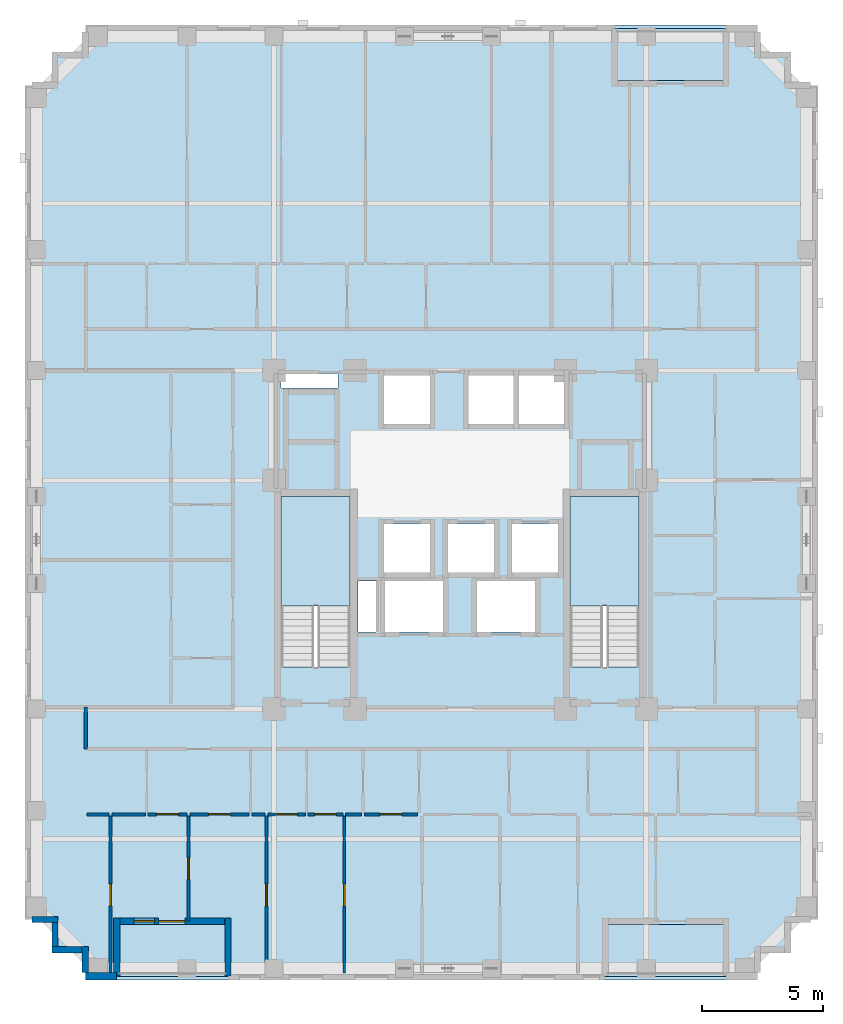
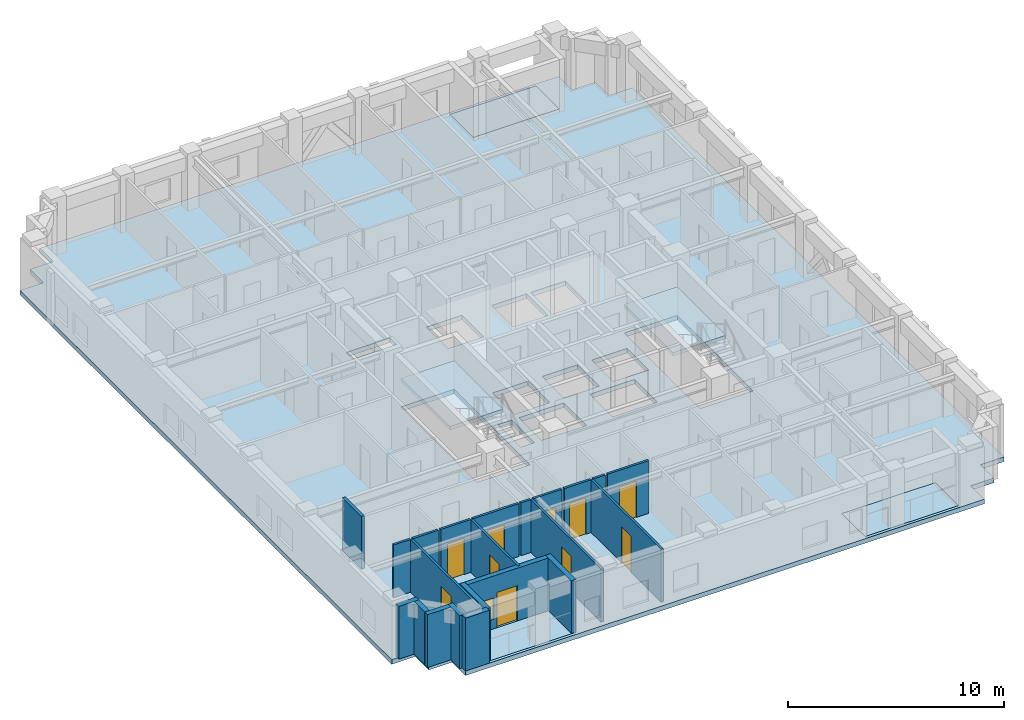
# One storey, part 2 of 12: 22 walls, 10 doors, 6 slabs, 1 window, 11 openings, 2 elements without a shape of their own.
"""IFC4 building model written with IfcOpenShell, lengths in metres."""

from ifc_helpers import new_model, si_unit, derived_unit, direction, frame, frame_2d, origin, place, context, subcontext, project, spatial, polyline, rectangle, outline, extrude, material, layer, layer_set, type_object, element, fill, aggregate, save


model = new_model("IFC4")

# Units and contexts
model_context = context("Model", 3, precision=1e-05, world=origin(), true_north=direction((0.0, 1.0)))
body_context = subcontext(model_context, "Body", "Model", "MODEL_VIEW")
ifc_project = project(units=[si_unit("LENGTHUNIT", "METRE"), si_unit("AREAUNIT", "SQUARE_METRE"), si_unit("VOLUMEUNIT", "CUBIC_METRE"), si_unit("PLANEANGLEUNIT", "RADIAN"), si_unit("MASSUNIT", "GRAM", prefix="KILO"), derived_unit("THERMALTRANSMITTANCEUNIT", [(si_unit("MASSUNIT", "GRAM", prefix="KILO"), 1), (si_unit("TIMEUNIT", "SECOND"), -3), (si_unit("THERMODYNAMICTEMPERATUREUNIT", "KELVIN"), -1)])], contexts=[model_context])

# Site, building, storey
site_placement = place(None, origin())
site = spatial("IfcSite", under=ifc_project, at=site_placement, CompositionType="ELEMENT")
building_placement = place(site_placement, origin())
building = spatial("IfcBuilding", under=site, at=building_placement, Name="Korrvale Station Residences", CompositionType="ELEMENT")
storey_placement = place(building_placement, frame((0.0, 0.0, 127.64990234375)))
storey = spatial("IfcBuildingStorey", under=building, at=storey_placement, Name="L36", CompositionType="ELEMENT", Elevation=127.64990234375)

# Slabs
ifc_material_1 = material(Name="Concrete C50/60", Category="concrete")
ifc_layer_1 = layer(ifc_material_1, 0.219970703125, Name="Concrete C50/60")
ifc_layer_set_1 = layer_set([ifc_layer_1], Name="Concrete C50/60")
slab_type_1 = type_object("IfcSlabType", Name="SLB-BAL-220", PredefinedType="FLOOR", material=ifc_layer_set_1)
slab_1_placement = place(storey_placement, frame((0.0, 0.0, -0.219970703125)))
element("IfcSlab", 1, at=slab_1_placement, inside=storey, type_object=slab_type_1, Name="L36 Recessed Loggia Balcony Slab BAL-L36-S1", PredefinedType="FLOOR", context=body_context, shape_type="SweptSolid", body=[
    extrude(outline(polyline([(11.300048828125, 3.949951171875), (15.89990234375, 3.949951171875), (15.89990234375, 6.10009765625), (11.300048828125, 6.10009765625), (11.300048828125, 3.949951171875)])), origin(), (0.0, 0.0, 1.0), 0.219970703125),
])
slab_2_placement = place(storey_placement, frame((0.0, 0.0, -0.219970703125)))
element("IfcSlab", 2, at=slab_2_placement, inside=storey, type_object=slab_type_1, Name="L36 Recessed Loggia Balcony Slab BAL-L36-N1", PredefinedType="FLOOR", context=body_context, shape_type="SweptSolid", body=[
    extrude(outline(polyline([(31.89990234375, 41.0), (36.5, 41.0), (36.5, 43.14990234375), (31.89990234375, 43.14990234375), (31.89990234375, 41.0)])), origin(), (0.0, 0.0, 1.0), 0.219970703125),
])
slab_3_placement = place(storey_placement, frame((0.0, 0.0, -0.219970703125)))
element("IfcSlab", 3, at=slab_3_placement, inside=storey, type_object=slab_type_1, Name="L36 Recessed Loggia Balcony Slab BAL-L36-S2", PredefinedType="FLOOR", context=body_context, shape_type="SweptSolid", body=[
    extrude(outline(polyline([(31.5, 3.949951171875), (36.5, 3.949951171875), (36.5, 6.10009765625), (31.5, 6.10009765625), (31.5, 3.949951171875)])), origin(), (0.0, 0.0, 1.0), 0.219970703125),
])
ifc_layer_2 = layer(ifc_material_1, 0.260009765625, Name="Concrete C50/60")
ifc_layer_set_2 = layer_set([ifc_layer_2], Name="Concrete C50/60")
slab_type_2 = type_object("IfcSlabType", Name="SLB-FLR-260", PredefinedType="FLOOR", material=ifc_layer_set_2)
slab_4_placement = place(storey_placement, frame((0.0, 0.0, -0.260009765625)))
element("IfcSlab", 4, at=slab_4_placement, inside=storey, type_object=slab_type_2, Name="L36 Suspended Structural Floor Slab", PredefinedType="FLOOR", context=body_context, shape_type="SweptSolid", body=[
    extrude(outline(polyline([(10.0, 3.800048828125), (37.800048828125, 3.800048828125), (37.800048828125, 5.050048828125), (39.050048828125, 5.050048828125), (39.050048828125, 6.300048828125), (40.300048828125, 6.300048828125), (40.300048828125, 40.800048828125), (39.050048828125, 40.800048828125), (39.050048828125, 42.050048828125), (37.800048828125, 42.050048828125), (37.800048828125, 43.300048828125), (10.0, 43.300048828125), (10.0, 42.050048828125), (8.75, 42.050048828125), (8.75, 40.800048828125), (7.5, 40.800048828125), (7.5, 6.300048828125), (8.75, 6.300048828125), (8.75, 5.050048828125), (10.0, 5.050048828125), (10.0, 3.800048828125)]), holes=[polyline([(20.949951171875, 16.751953125), (20.949951171875, 23.800048828125), (18.10009765625, 23.800048828125), (18.10009765625, 16.751953125), (20.949951171875, 16.751953125)]), polyline([(32.89990234375, 16.751953125), (32.89990234375, 23.800048828125), (30.050048828125, 23.800048828125), (30.050048828125, 16.751953125), (32.89990234375, 16.751953125)]), polyline([(22.35009765625, 26.800048828125), (24.25, 26.800048828125), (24.25, 28.800048828125), (22.35009765625, 28.800048828125), (22.35009765625, 26.800048828125)]), polyline([(25.85009765625, 26.800048828125), (27.7099609375, 26.800048828125), (27.7099609375, 28.800048828125), (25.85009765625, 28.800048828125), (25.85009765625, 26.800048828125)]), polyline([(27.929931640625, 26.800048828125), (29.7900390625, 26.800048828125), (29.7900390625, 28.800048828125), (27.929931640625, 28.800048828125), (27.929931640625, 26.800048828125)]), polyline([(22.35009765625, 20.64990234375), (24.25, 20.64990234375), (24.25, 22.64990234375), (22.35009765625, 22.64990234375), (22.35009765625, 20.64990234375)]), polyline([(25.0, 20.64990234375), (26.89990234375, 20.64990234375), (26.89990234375, 22.64990234375), (25.0, 22.64990234375), (25.0, 20.64990234375)]), polyline([(27.64990234375, 20.64990234375), (29.550048828125, 20.64990234375), (29.550048828125, 22.64990234375), (27.64990234375, 22.64990234375), (27.64990234375, 20.64990234375)]), polyline([(22.39990234375, 18.199951171875), (24.800048828125, 18.199951171875), (24.800048828125, 20.300048828125), (22.39990234375, 20.300048828125), (22.39990234375, 18.199951171875)]), polyline([(26.199951171875, 18.199951171875), (28.60009765625, 18.199951171875), (28.60009765625, 20.300048828125), (26.199951171875, 20.300048828125), (26.199951171875, 18.199951171875)]), polyline([(18.10009765625, 28.280029296875), (20.449951171875, 28.280029296875), (20.449951171875, 28.8798828125), (18.10009765625, 28.8798828125), (18.10009765625, 28.280029296875)]), polyline([(21.280029296875, 18.199951171875), (22.02001953125, 18.199951171875), (22.02001953125, 20.300048828125), (21.280029296875, 20.300048828125), (21.280029296875, 18.199951171875)]), polyline([(11.300048828125, 3.949951171875), (15.89990234375, 3.949951171875), (15.89990234375, 6.10009765625), (11.300048828125, 6.10009765625), (11.300048828125, 3.949951171875)]), polyline([(31.89990234375, 41.0), (36.5, 41.0), (36.5, 43.14990234375), (31.89990234375, 43.14990234375), (31.89990234375, 41.0)]), polyline([(31.5, 3.949951171875), (36.5, 3.949951171875), (36.5, 6.10009765625), (31.5, 6.10009765625), (31.5, 3.949951171875)])]), origin(), (0.0, 0.0, 1.0), 0.260009765625),
])

# Stair, slab
stair_type = type_object("IfcStairType", Name="STR-DL-1350-20R-1625", PredefinedType="HALF_TURN_STAIR", material=ifc_material_1)
stair_1_placement = place(storey_placement, origin())
stair_1 = element("IfcStair", 5, at=stair_1_placement, inside=storey, type_object=stair_type, Name="L36 Exit Stair 1", PredefinedType="HALF_TURN_STAIR")
ifc_layer_3 = layer(ifc_material_1, 0.199951171875, Name="Concrete C50/60")
ifc_layer_set_3 = layer_set([ifc_layer_3], Name="Concrete C50/60")
slab_type_3 = type_object("IfcSlabType", Name="SLB-LND-200", PredefinedType="LANDING", material=ifc_layer_set_3)
slab_5_placement = place(storey_placement, frame((0.0, 0.0, 1.425048828125)))
slab_5 = element("IfcSlab", 6, at=slab_5_placement, type_object=slab_type_3, Name="ST-1 landing 1", PredefinedType="LANDING", context=body_context, shape_type="SweptSolid", body=[
    extrude(outline(polyline([(20.949951171875, 19.27001953125), (20.949951171875, 23.800048828125), (18.10009765625, 23.800048828125), (18.10009765625, 19.27001953125), (20.949951171875, 19.27001953125)])), origin(), (0.0, 0.0, 1.0), 0.199951171875),
])
aggregate(stair_1, [slab_5])

stair_2_placement = place(storey_placement, origin())
stair_2 = element("IfcStair", 7, at=stair_2_placement, inside=storey, type_object=stair_type, Name="L36 Exit Stair 2", PredefinedType="HALF_TURN_STAIR")
slab_6_placement = place(storey_placement, frame((0.0, 0.0, 1.425048828125)))
slab_6 = element("IfcSlab", 8, at=slab_6_placement, type_object=slab_type_3, Name="ST-2 landing 1", PredefinedType="LANDING", context=body_context, shape_type="SweptSolid", body=[
    extrude(outline(polyline([(32.89990234375, 19.27001953125), (32.89990234375, 23.800048828125), (30.050048828125, 23.800048828125), (30.050048828125, 19.27001953125), (32.89990234375, 19.27001953125)])), origin(), (0.0, 0.0, 1.0), 0.199951171875),
])
aggregate(stair_2, [slab_6])

# Wall
ifc_material_2 = material(Name="Precast concrete C45/55", Category="concrete")
ifc_layer_4 = layer(ifc_material_2, 0.260009765625, Name="Precast concrete C45/55")
ifc_layer_set_4 = layer_set([ifc_layer_4], Name="Precast concrete C45/55")
wall_type_1 = type_object("IfcWallType", Name="WAL-EXT-LOG260", PredefinedType="SOLIDWALL", material=ifc_layer_set_4)
wall_1_placement = place(storey_placement, frame((15.89990234375, 3.9599609375, 0.0), z_axis=(0.0, 0.0, 1.0), x_axis=(0.0, 1.0, 0.0)))
element("IfcWall", 9, at=wall_1_placement, inside=storey, type_object=wall_type_1, Name="L36 Recessed Loggia Wall BAL-L36-S1-L", PredefinedType="SOLIDWALL", context=body_context, shape_type="SweptSolid", body=[
    extrude(rectangle(XDim=2.400146484375, YDim=0.260009765625, at=frame_2d((1.2001953125, 0.0))), origin(), (0.0, 0.0, 1.0), 2.989990234375),
])

# Wall, openings, door, window
wall_2_placement = place(storey_placement, frame((15.76611328125, 6.22998046875, 0.0), z_axis=(0.0, 0.0, 1.0), x_axis=(-1.0, 0.0, 0.0)))
wall_2 = element("IfcWall", 10, at=wall_2_placement, inside=storey, type_object=wall_type_1, Name="L36 Recessed Loggia Wall BAL-L36-S1-B", PredefinedType="SOLIDWALL", context=body_context, shape_type="SweptSolid", body=[
    extrude(rectangle(XDim=4.33203125, YDim=0.260009765625, at=frame_2d((2.166015625, 0.0))), origin(), (0.0, 0.0, 1.0), 2.989990234375),
])
opening_1_placement = place(wall_2_placement, frame((1.635986328125, 0.0, 0.0)))
opening_1 = element("IfcOpeningElement", 11, at=opening_1_placement, cuts=wall_2, Name="Opening BD-01", PredefinedType="OPENING", context=body_context, shape_type="SweptSolid", body=[
    extrude(rectangle(XDim=1.10009765625, YDim=2.0, at=frame_2d((0.550048828125, 1.0))), frame((0.0, 0.14013671875, 0.0), z_axis=(0.0, -1.0, 0.0), x_axis=(1.0, 0.0, 0.0)), (0.0, 0.0, 1.0), 0.280029296875),
])
opening_2_placement = place(wall_2_placement, frame((2.89599609375, 0.0, 0.550048828125)))
opening_2 = element("IfcOpeningElement", 12, at=opening_2_placement, cuts=wall_2, Name="Opening W-11", PredefinedType="OPENING", context=body_context, shape_type="SweptSolid", body=[
    extrude(rectangle(XDim=0.85009765625, YDim=1.199951171875, at=frame_2d((0.425048828125, 0.60009765625))), frame((0.0, 0.14013671875, 0.0), z_axis=(0.0, -1.0, 0.0), x_axis=(1.0, 0.0, 0.0)), (0.0, 0.0, 1.0), 0.280029296875),
])
ifc_material_3 = material(Name="Exterior thermally broken aluminium glazed balcony door", Category="aluminium")
door_type_1 = type_object("IfcDoorType", Name="DR-EXT-BAL", OperationType="NOTDEFINED", PredefinedType="DOOR", material=ifc_material_3)
door_1_placement = place(opening_1_placement, origin())
door_1 = element("IfcDoor", 13, at=door_1_placement, inside=storey, type_object=door_type_1, Name="L36 Loggia Balcony Door BAL-L36-S1", OperationType="SINGLE_SWING_RIGHT", OverallHeight=2.0, OverallWidth=1.10009765625, PredefinedType="DOOR", context=body_context, shape_type="SweptSolid", body=[
    extrude(rectangle(XDim=1.10009765625, YDim=2.0, at=frame_2d((0.550048828125, 1.0))), frame((0.0, 0.02490234375, 0.0), z_axis=(0.0, -1.0, 0.0), x_axis=(1.0, 0.0, 0.0)), (0.0, 0.0, 1.0), 0.050048828125),
])
fill(opening_1, door_1)
ifc_material_4 = material(Name="Thermally broken aluminium frame with triple low-e glazing", Category="aluminium")
window_type = type_object("IfcWindowType", Name="WIN-W11", PartitioningType="SINGLE_PANEL", PredefinedType="WINDOW", material=ifc_material_4)
window_placement = place(opening_2_placement, origin())
window = element("IfcWindow", 14, at=window_placement, inside=storey, type_object=window_type, Name="L36 Punched Window 02", OverallHeight=1.199951171875, OverallWidth=0.85009765625, PartitioningType="SINGLE_PANEL", PredefinedType="WINDOW", context=body_context, shape_type="SweptSolid", body=[
    extrude(rectangle(XDim=0.85009765625, YDim=1.199951171875, at=frame_2d((0.425048828125, 0.60009765625))), frame((0.0, 0.030029296875, 0.0), z_axis=(0.0, -1.0, 0.0), x_axis=(1.0, 0.0, 0.0)), (0.0, 0.0, 1.0), 0.06005859375),
])
fill(opening_2, window)

# Walls
wall_3_placement = place(storey_placement, frame((11.300048828125, 6.360107421875, 0.0), z_axis=(0.0, 0.0, 1.0), x_axis=(0.0, -1.0, 0.0)))
element("IfcWall", 15, at=wall_3_placement, inside=storey, type_object=wall_type_1, Name="L36 Recessed Loggia Wall BAL-L36-S1-R", PredefinedType="SOLIDWALL", context=body_context, shape_type="SweptSolid", body=[
    extrude(rectangle(XDim=2.400146484375, YDim=0.260009765625, at=frame_2d((1.2001953125, 0.0))), origin(), (0.0, 0.0, 1.0), 2.989990234375),
])
wall_4_placement = place(storey_placement, frame((10.0, 4.10205078125, 0.0), z_axis=(0.0, 0.0, 1.0), x_axis=(0.0, 1.0, 0.0)))
element("IfcWall", 16, at=wall_4_placement, inside=storey, type_object=wall_type_1, Name="L36 Serrated Corner Precast Step SW-1", PredefinedType="SOLIDWALL", context=body_context, shape_type="SweptSolid", body=[
    extrude(rectangle(XDim=1.077880859375, YDim=0.260009765625, at=frame_2d((0.5390625, 0.0))), origin(), (0.0, 0.0, 1.0), 2.989990234375),
])
wall_5_placement = place(storey_placement, frame((9.867919921875, 5.050048828125, 0.0), z_axis=(0.0, 0.0, 1.0), x_axis=(-1.0, 0.0, 0.0)))
element("IfcWall", 17, at=wall_5_placement, inside=storey, type_object=wall_type_1, Name="L36 Serrated Corner Precast Step SW-2", PredefinedType="SOLIDWALL", context=body_context, shape_type="SweptSolid", body=[
    extrude(rectangle(XDim=1.247802734375, YDim=0.260009765625, at=frame_2d((0.6240234375, 0.0))), origin(), (0.0, 0.0, 1.0), 2.989990234375),
])
wall_6_placement = place(storey_placement, frame((8.75, 5.181884765625, 0.0), z_axis=(0.0, 0.0, 1.0), x_axis=(0.0, 1.0, 0.0)))
element("IfcWall", 18, at=wall_6_placement, inside=storey, type_object=wall_type_1, Name="L36 Serrated Corner Precast Step SW-3", PredefinedType="SOLIDWALL", context=body_context, shape_type="SweptSolid", body=[
    extrude(rectangle(XDim=0.986083984375, YDim=0.260009765625, at=frame_2d((0.4931640625, 0.0))), origin(), (0.0, 0.0, 1.0), 2.989990234375),
])
wall_7_placement = place(storey_placement, frame((8.8798828125, 6.300048828125, 0.0), z_axis=(0.0, 0.0, 1.0), x_axis=(-1.0, 0.0, 0.0)))
element("IfcWall", 19, at=wall_7_placement, inside=storey, type_object=wall_type_1, Name="L36 Serrated Corner Precast Step SW-4", PredefinedType="SOLIDWALL", context=body_context, shape_type="SweptSolid", body=[
    extrude(rectangle(XDim=1.077880859375, YDim=0.260009765625, at=frame_2d((0.5390625, 0.0))), origin(), (0.0, 0.0, 1.0), 2.989990234375),
])
ifc_layer_5 = layer(ifc_material_2, 0.300048828125, Name="Precast concrete C45/55")
ifc_layer_set_5 = layer_set([ifc_layer_5], Name="Precast concrete C45/55")
wall_type_2 = type_object("IfcWallType", Name="WAL-EXT-PC300", PredefinedType="SOLIDWALL", material=ifc_layer_set_5)
wall_8_placement = place(storey_placement, frame((11.300048828125, 3.949951171875, 0.0), z_axis=(0.0, 0.0, 1.0), x_axis=(-1.0, 0.0, 0.0)))
element("IfcWall", 20, at=wall_8_placement, inside=storey, type_object=wall_type_2, Name="L36 South Exterior Precast Wall 3", PredefinedType="SOLIDWALL", context=body_context, shape_type="SweptSolid", body=[
    extrude(rectangle(XDim=1.300048828125, YDim=0.300048828125, at=frame_2d((0.64990234375, 0.0))), origin(), (0.0, 0.0, 1.0), 2.989990234375),
])
ifc_material_5 = material(Name="Acoustic steel-stud gypsum board partition", Category="steel")
ifc_layer_6 = layer(ifc_material_5, 0.1201171875, Name="Acoustic steel-stud gypsum board partition")
ifc_layer_set_6 = layer_set([ifc_layer_6], Name="Acoustic steel-stud gypsum board partition")
wall_type_3 = type_object("IfcWallType", Name="WAL-PART-125", PredefinedType="PARTITIONING", material=ifc_layer_set_6)
wall_9_placement = place(storey_placement, frame((10.080078125, 10.64990234375, 0.0), z_axis=(0.0, 0.0, 1.0), x_axis=(1.0, 0.0, 0.0)))
element("IfcWall", 21, at=wall_9_placement, inside=storey, type_object=wall_type_3, Name="L36 Suite Partition U01-H09", PredefinedType="PARTITIONING", context=body_context, shape_type="SweptSolid", body=[
    extrude(rectangle(XDim=0.909912109375, YDim=0.1201171875, at=frame_2d((0.455078125, 0.0))), origin(), (0.0, 0.0, 1.0), 2.989990234375),
])
wall_10_placement = place(storey_placement, frame((11.110107421875, 10.64990234375, 0.0), z_axis=(0.0, 0.0, 1.0), x_axis=(1.0, 0.0, 0.0)))
element("IfcWall", 22, at=wall_10_placement, inside=storey, type_object=wall_type_3, Name="L36 Suite Partition U01-H010", PredefinedType="PARTITIONING", context=body_context, shape_type="SweptSolid", body=[
    extrude(rectangle(XDim=1.369873046875, YDim=0.1201171875, at=frame_2d((0.68505859375, 0.0))), origin(), (0.0, 0.0, 1.0), 2.989990234375),
])

# Wall, opening, door
wall_11_placement = place(storey_placement, frame((12.60009765625, 10.64990234375, 0.0), z_axis=(0.0, 0.0, 1.0), x_axis=(1.0, 0.0, 0.0)))
wall_11 = element("IfcWall", 23, at=wall_11_placement, inside=storey, type_object=wall_type_3, Name="L36 Suite Partition U01-H110", PredefinedType="PARTITIONING", context=body_context, shape_type="SweptSolid", body=[
    extrude(rectangle(XDim=1.60986328125, YDim=0.1201171875, at=frame_2d((0.804931640625, 0.0))), origin(), (0.0, 0.0, 1.0), 2.989990234375),
])
opening_3_placement = place(wall_11_placement, frame((0.35498046875, 0.0, 0.0)))
opening_3 = element("IfcOpeningElement", 24, at=opening_3_placement, cuts=wall_11, Name="Opening DI-900", PredefinedType="OPENING", context=body_context, shape_type="SweptSolid", body=[
    extrude(rectangle(XDim=0.89990234375, YDim=2.050048828125, at=frame_2d((0.449951171875, 1.02490234375))), frame((0.0, 0.070068359375, 0.0), z_axis=(0.0, -1.0, 0.0), x_axis=(1.0, 0.0, 0.0)), (0.0, 0.0, 1.0), 0.14013671875),
])
ifc_material_6 = material(Name="Painted solid-core timber interior room door", Category="wood")
door_type_2 = type_object("IfcDoorType", Name="DR-INT-900", OperationType="NOTDEFINED", PredefinedType="DOOR", material=ifc_material_6)
door_2_placement = place(opening_3_placement, origin())
door_2 = element("IfcDoor", 25, at=door_2_placement, inside=storey, type_object=door_type_2, Name="L36 Studio Apartment L36-U01 Kitchen Door", OperationType="SINGLE_SWING_RIGHT", OverallHeight=2.050048828125, OverallWidth=0.89990234375, PredefinedType="DOOR", context=body_context, shape_type="SweptSolid", body=[
    extrude(rectangle(XDim=0.89990234375, YDim=2.050048828125, at=frame_2d((0.449951171875, 1.02490234375))), frame((0.0, 0.02490234375, 0.0), z_axis=(0.0, -1.0, 0.0), x_axis=(1.0, 0.0, 0.0)), (0.0, 0.0, 1.0), 0.050048828125),
])
fill(opening_3, door_2)

wall_12_placement = place(storey_placement, frame((14.330078125, 10.64990234375, 0.0), z_axis=(0.0, 0.0, 1.0), x_axis=(1.0, 0.0, 0.0)))
wall_12 = element("IfcWall", 26, at=wall_12_placement, inside=storey, type_object=wall_type_3, Name="L36 Suite Partition U01-H111", PredefinedType="PARTITIONING", context=body_context, shape_type="SweptSolid", body=[
    extrude(rectangle(XDim=2.449951171875, YDim=0.1201171875, at=frame_2d((1.22509765625, 0.0))), origin(), (0.0, 0.0, 1.0), 2.989990234375),
])
opening_4_placement = place(wall_12_placement, frame((0.77490234375, 0.0, 0.0)))
opening_4 = element("IfcOpeningElement", 27, at=opening_4_placement, cuts=wall_12, Name="Opening DI-900", PredefinedType="OPENING", context=body_context, shape_type="SweptSolid", body=[
    extrude(rectangle(XDim=0.89990234375, YDim=2.050048828125, at=frame_2d((0.449951171875, 1.02490234375))), frame((0.0, 0.070068359375, 0.0), z_axis=(0.0, -1.0, 0.0), x_axis=(1.0, 0.0, 0.0)), (0.0, 0.0, 1.0), 0.14013671875),
])
door_3_placement = place(opening_4_placement, origin())
door_3 = element("IfcDoor", 28, at=door_3_placement, inside=storey, type_object=door_type_2, Name="L36 Studio Apartment L36-U01 Kitchen Door", OperationType="SINGLE_SWING_LEFT", OverallHeight=2.050048828125, OverallWidth=0.89990234375, PredefinedType="DOOR", context=body_context, shape_type="SweptSolid", body=[
    extrude(rectangle(XDim=0.89990234375, YDim=2.050048828125, at=frame_2d((0.449951171875, 1.02490234375))), frame((0.0, 0.02490234375, 0.0), z_axis=(0.0, -1.0, 0.0), x_axis=(1.0, 0.0, 0.0)), (0.0, 0.0, 1.0), 0.050048828125),
])
fill(opening_4, door_3)

# Wall
wall_13_placement = place(storey_placement, frame((16.89990234375, 10.64990234375, 0.0), z_axis=(0.0, 0.0, 1.0), x_axis=(1.0, 0.0, 0.0)))
element("IfcWall", 29, at=wall_13_placement, inside=storey, type_object=wall_type_3, Name="L36 Suite Partition U01-H211", PredefinedType="PARTITIONING", context=body_context, shape_type="SweptSolid", body=[
    extrude(rectangle(XDim=0.530029296875, YDim=0.1201171875, at=frame_2d((0.26513671875, 0.0))), origin(), (0.0, 0.0, 1.0), 2.989990234375),
])

# Wall, opening, door
wall_14_placement = place(storey_placement, frame((17.550048828125, 10.64990234375, 0.0), z_axis=(0.0, 0.0, 1.0), x_axis=(1.0, 0.0, 0.0)))
wall_14 = element("IfcWall", 30, at=wall_14_placement, inside=storey, type_object=wall_type_3, Name="L36 Suite Partition U01-H212", PredefinedType="PARTITIONING", context=body_context, shape_type="SweptSolid", body=[
    extrude(rectangle(XDim=1.550048828125, YDim=0.1201171875, at=frame_2d((0.77490234375, 0.0))), origin(), (0.0, 0.0, 1.0), 2.989990234375),
])
opening_5_placement = place(wall_14_placement, frame((0.324951171875, 0.0, 0.0)))
opening_5 = element("IfcOpeningElement", 31, at=opening_5_placement, cuts=wall_14, Name="Opening DI-900", PredefinedType="OPENING", context=body_context, shape_type="SweptSolid", body=[
    extrude(rectangle(XDim=0.89990234375, YDim=2.050048828125, at=frame_2d((0.449951171875, 1.02490234375))), frame((0.0, 0.070068359375, 0.0), z_axis=(0.0, -1.0, 0.0), x_axis=(1.0, 0.0, 0.0)), (0.0, 0.0, 1.0), 0.14013671875),
])
door_4_placement = place(opening_5_placement, origin())
door_4 = element("IfcDoor", 32, at=door_4_placement, inside=storey, type_object=door_type_2, Name="L36 Studio Apartment L36-U01 Wardrobe Storage Room Door", OperationType="SINGLE_SWING_LEFT", OverallHeight=2.050048828125, OverallWidth=0.89990234375, PredefinedType="DOOR", context=body_context, shape_type="SweptSolid", body=[
    extrude(rectangle(XDim=0.89990234375, YDim=2.050048828125, at=frame_2d((0.449951171875, 1.02490234375))), frame((0.0, 0.02490234375, 0.0), z_axis=(0.0, -1.0, 0.0), x_axis=(1.0, 0.0, 0.0)), (0.0, 0.0, 1.0), 0.050048828125),
])
fill(opening_5, door_4)

wall_15_placement = place(storey_placement, frame((19.219970703125, 10.64990234375, 0.0), z_axis=(0.0, 0.0, 1.0), x_axis=(1.0, 0.0, 0.0)))
wall_15 = element("IfcWall", 33, at=wall_15_placement, inside=storey, type_object=wall_type_3, Name="L36 Suite Partition U01-H312", PredefinedType="PARTITIONING", context=body_context, shape_type="SweptSolid", body=[
    extrude(rectangle(XDim=1.429931640625, YDim=0.1201171875, at=frame_2d((0.71484375, 0.0))), origin(), (0.0, 0.0, 1.0), 2.989990234375),
])
opening_6_placement = place(wall_15_placement, frame((0.264892578125, 0.0, 0.0)))
opening_6 = element("IfcOpeningElement", 34, at=opening_6_placement, cuts=wall_15, Name="Opening DI-900", PredefinedType="OPENING", context=body_context, shape_type="SweptSolid", body=[
    extrude(rectangle(XDim=0.89990234375, YDim=2.050048828125, at=frame_2d((0.449951171875, 1.02490234375))), frame((0.0, 0.070068359375, 0.0), z_axis=(0.0, -1.0, 0.0), x_axis=(1.0, 0.0, 0.0)), (0.0, 0.0, 1.0), 0.14013671875),
])
door_5_placement = place(opening_6_placement, origin())
door_5 = element("IfcDoor", 35, at=door_5_placement, inside=storey, type_object=door_type_2, Name="L36 Studio Apartment L36-U01 Wardrobe Storage Room Door", OperationType="SINGLE_SWING_LEFT", OverallHeight=2.050048828125, OverallWidth=0.89990234375, PredefinedType="DOOR", context=body_context, shape_type="SweptSolid", body=[
    extrude(rectangle(XDim=0.89990234375, YDim=2.050048828125, at=frame_2d((0.449951171875, 1.02490234375))), frame((0.0, 0.02490234375, 0.0), z_axis=(0.0, -1.0, 0.0), x_axis=(1.0, 0.0, 0.0)), (0.0, 0.0, 1.0), 0.050048828125),
])
fill(opening_6, door_5)

# Wall
wall_16_placement = place(storey_placement, frame((20.77001953125, 10.64990234375, 0.0), z_axis=(0.0, 0.0, 1.0), x_axis=(1.0, 0.0, 0.0)))
element("IfcWall", 36, at=wall_16_placement, inside=storey, type_object=wall_type_3, Name="L36 Suite Partition U01-H313", PredefinedType="PARTITIONING", context=body_context, shape_type="SweptSolid", body=[
    extrude(rectangle(XDim=0.64990234375, YDim=0.1201171875, at=frame_2d((0.324951171875, 0.0))), origin(), (0.0, 0.0, 1.0), 2.989990234375),
])

# Wall, opening, door
wall_17_placement = place(storey_placement, frame((21.5400390625, 10.64990234375, 0.0), z_axis=(0.0, 0.0, 1.0), x_axis=(1.0, 0.0, 0.0)))
wall_17 = element("IfcWall", 37, at=wall_17_placement, inside=storey, type_object=wall_type_3, Name="L36 Suite Partition U01-H413", PredefinedType="PARTITIONING", context=body_context, shape_type="SweptSolid", body=[
    extrude(rectangle(XDim=2.199951171875, YDim=0.1201171875, at=frame_2d((1.10009765625, 0.0))), origin(), (0.0, 0.0, 1.0), 2.989990234375),
])
opening_7_placement = place(wall_17_placement, frame((0.64990234375, 0.0, 0.0)))
opening_7 = element("IfcOpeningElement", 38, at=opening_7_placement, cuts=wall_17, Name="Opening DI-900", PredefinedType="OPENING", context=body_context, shape_type="SweptSolid", body=[
    extrude(rectangle(XDim=0.89990234375, YDim=2.050048828125, at=frame_2d((0.449951171875, 1.02490234375))), frame((0.0, 0.070068359375, 0.0), z_axis=(0.0, -1.0, 0.0), x_axis=(1.0, 0.0, 0.0)), (0.0, 0.0, 1.0), 0.14013671875),
])
door_6_placement = place(opening_7_placement, origin())
door_6 = element("IfcDoor", 39, at=door_6_placement, inside=storey, type_object=door_type_2, Name="L36 Studio Apartment L36-U01 Wardrobe Storage Room Door", OperationType="SINGLE_SWING_LEFT", OverallHeight=2.050048828125, OverallWidth=0.89990234375, PredefinedType="DOOR", context=body_context, shape_type="SweptSolid", body=[
    extrude(rectangle(XDim=0.89990234375, YDim=2.050048828125, at=frame_2d((0.449951171875, 1.02490234375))), frame((0.0, 0.02490234375, 0.0), z_axis=(0.0, -1.0, 0.0), x_axis=(1.0, 0.0, 0.0)), (0.0, 0.0, 1.0), 0.050048828125),
])
fill(opening_7, door_6)

wall_18_placement = place(storey_placement, frame((11.050048828125, 4.080078125, 0.0), z_axis=(0.0, 0.0, 1.0), x_axis=(0.0, 1.0, 0.0)))
wall_18 = element("IfcWall", 40, at=wall_18_placement, inside=storey, type_object=wall_type_3, Name="L36 Suite Partition U01-V910", PredefinedType="PARTITIONING", context=body_context, shape_type="SweptSolid", body=[
    extrude(rectangle(XDim=6.510009765625, YDim=0.1201171875, at=frame_2d((3.2548828125, 0.0))), origin(), (0.0, 0.0, 1.0), 2.989990234375),
])
opening_8_placement = place(wall_18_placement, frame((2.7900390625, 0.0, 0.0)))
opening_8 = element("IfcOpeningElement", 41, at=opening_8_placement, cuts=wall_18, Name="Opening DI-900", PredefinedType="OPENING", context=body_context, shape_type="SweptSolid", body=[
    extrude(rectangle(XDim=0.89990234375, YDim=2.050048828125, at=frame_2d((0.449951171875, 1.02490234375))), frame((0.0, 0.070068359375, 0.0), z_axis=(0.0, -1.0, 0.0), x_axis=(1.0, 0.0, 0.0)), (0.0, 0.0, 1.0), 0.14013671875),
])
door_7_placement = place(opening_8_placement, origin())
door_7 = element("IfcDoor", 42, at=door_7_placement, inside=storey, type_object=door_type_2, Name="L36 Studio Apartment L36-U01 Walk-In Wardrobe Door", OperationType="SINGLE_SWING_LEFT", OverallHeight=2.050048828125, OverallWidth=0.89990234375, PredefinedType="DOOR", context=body_context, shape_type="SweptSolid", body=[
    extrude(rectangle(XDim=0.89990234375, YDim=2.050048828125, at=frame_2d((0.449951171875, 1.02490234375))), frame((0.0, 0.02490234375, 0.0), z_axis=(0.0, -1.0, 0.0), x_axis=(1.0, 0.0, 0.0)), (0.0, 0.0, 1.0), 0.050048828125),
])
fill(opening_8, door_7)

wall_19_placement = place(storey_placement, frame((14.27001953125, 6.22998046875, 0.0), z_axis=(0.0, 0.0, 1.0), x_axis=(0.0, 1.0, 0.0)))
wall_19 = element("IfcWall", 43, at=wall_19_placement, inside=storey, type_object=wall_type_3, Name="L36 Suite Partition U01-V1011", PredefinedType="PARTITIONING", context=body_context, shape_type="SweptSolid", body=[
    extrude(rectangle(XDim=4.360107421875, YDim=0.1201171875, at=frame_2d((2.18017578125, 0.0))), origin(), (0.0, 0.0, 1.0), 2.989990234375),
])
opening_9_placement = place(wall_19_placement, frame((1.72998046875, 0.0, 0.0)))
opening_9 = element("IfcOpeningElement", 44, at=opening_9_placement, cuts=wall_19, Name="Opening DI-900", PredefinedType="OPENING", context=body_context, shape_type="SweptSolid", body=[
    extrude(rectangle(XDim=0.89990234375, YDim=2.050048828125, at=frame_2d((0.449951171875, 1.02490234375))), frame((0.0, 0.070068359375, 0.0), z_axis=(0.0, -1.0, 0.0), x_axis=(1.0, 0.0, 0.0)), (0.0, 0.0, 1.0), 0.14013671875),
])
door_8_placement = place(opening_9_placement, origin())
door_8 = element("IfcDoor", 45, at=door_8_placement, inside=storey, type_object=door_type_2, Name="L36 Studio Apartment L36-U01 Formal Dining Room Door", OperationType="SINGLE_SWING_RIGHT", OverallHeight=2.050048828125, OverallWidth=0.89990234375, PredefinedType="DOOR", context=body_context, shape_type="SweptSolid", body=[
    extrude(rectangle(XDim=0.89990234375, YDim=2.050048828125, at=frame_2d((0.449951171875, 1.02490234375))), frame((0.0, 0.02490234375, 0.0), z_axis=(0.0, -1.0, 0.0), x_axis=(1.0, 0.0, 0.0)), (0.0, 0.0, 1.0), 0.050048828125),
])
fill(opening_9, door_8)

wall_20_placement = place(storey_placement, frame((17.489990234375, 4.080078125, 0.0), z_axis=(0.0, 0.0, 1.0), x_axis=(0.0, 1.0, 0.0)))
wall_20 = element("IfcWall", 46, at=wall_20_placement, inside=storey, type_object=wall_type_3, Name="L36 Suite Partition U01-V1112", PredefinedType="PARTITIONING", context=body_context, shape_type="SweptSolid", body=[
    extrude(rectangle(XDim=6.510009765625, YDim=0.1201171875, at=frame_2d((3.2548828125, 0.0))), origin(), (0.0, 0.0, 1.0), 2.989990234375),
])
opening_10_placement = place(wall_20_placement, frame((2.7900390625, 0.0, 0.0)))
opening_10 = element("IfcOpeningElement", 47, at=opening_10_placement, cuts=wall_20, Name="Opening DI-900", PredefinedType="OPENING", context=body_context, shape_type="SweptSolid", body=[
    extrude(rectangle(XDim=0.89990234375, YDim=2.050048828125, at=frame_2d((0.449951171875, 1.02490234375))), frame((0.0, 0.070068359375, 0.0), z_axis=(0.0, -1.0, 0.0), x_axis=(1.0, 0.0, 0.0)), (0.0, 0.0, 1.0), 0.14013671875),
])
door_9_placement = place(opening_10_placement, origin())
door_9 = element("IfcDoor", 48, at=door_9_placement, inside=storey, type_object=door_type_2, Name="L36 Studio Apartment L36-U01 Formal Dining Room Door", OperationType="SINGLE_SWING_LEFT", OverallHeight=2.050048828125, OverallWidth=0.89990234375, PredefinedType="DOOR", context=body_context, shape_type="SweptSolid", body=[
    extrude(rectangle(XDim=0.89990234375, YDim=2.050048828125, at=frame_2d((0.449951171875, 1.02490234375))), frame((0.0, 0.02490234375, 0.0), z_axis=(0.0, -1.0, 0.0), x_axis=(1.0, 0.0, 0.0)), (0.0, 0.0, 1.0), 0.050048828125),
])
fill(opening_10, door_9)

wall_21_placement = place(storey_placement, frame((20.7099609375, 4.080078125, 0.0), z_axis=(0.0, 0.0, 1.0), x_axis=(0.0, 1.0, 0.0)))
wall_21 = element("IfcWall", 49, at=wall_21_placement, inside=storey, type_object=wall_type_3, Name="L36 Suite Partition U01-V1213", PredefinedType="PARTITIONING", context=body_context, shape_type="SweptSolid", body=[
    extrude(rectangle(XDim=6.510009765625, YDim=0.1201171875, at=frame_2d((3.2548828125, 0.0))), origin(), (0.0, 0.0, 1.0), 2.989990234375),
])
opening_11_placement = place(wall_21_placement, frame((2.7900390625, 0.0, 0.0)))
opening_11 = element("IfcOpeningElement", 50, at=opening_11_placement, cuts=wall_21, Name="Opening DI-900", PredefinedType="OPENING", context=body_context, shape_type="SweptSolid", body=[
    extrude(rectangle(XDim=0.89990234375, YDim=2.050048828125, at=frame_2d((0.449951171875, 1.02490234375))), frame((0.0, 0.070068359375, 0.0), z_axis=(0.0, -1.0, 0.0), x_axis=(1.0, 0.0, 0.0)), (0.0, 0.0, 1.0), 0.14013671875),
])
door_10_placement = place(opening_11_placement, origin())
door_10 = element("IfcDoor", 51, at=door_10_placement, inside=storey, type_object=door_type_2, Name="L36 Studio Apartment L36-U01 Formal Dining Room Door", OperationType="SINGLE_SWING_RIGHT", OverallHeight=2.050048828125, OverallWidth=0.89990234375, PredefinedType="DOOR", context=body_context, shape_type="SweptSolid", body=[
    extrude(rectangle(XDim=0.89990234375, YDim=2.050048828125, at=frame_2d((0.449951171875, 1.02490234375))), frame((0.0, 0.02490234375, 0.0), z_axis=(0.0, -1.0, 0.0), x_axis=(1.0, 0.0, 0.0)), (0.0, 0.0, 1.0), 0.050048828125),
])
fill(opening_11, door_10)

# Wall
ifc_material_7 = material(Name="Fire-rated twin-stud gypsum and mineral wool shaftwall assembly", Category="gypsum")
ifc_layer_7 = layer(ifc_material_7, 0.159912109375, Name="Fire-rated twin-stud gypsum and mineral wool shaftwall assembly")
ifc_layer_set_7 = layer_set([ifc_layer_7], Name="Fire-rated twin-stud gypsum and mineral wool shaftwall assembly")
wall_type_4 = type_object("IfcWallType", Name="WAL-PART-200", PredefinedType="PARTITIONING", material=ifc_layer_set_7)
wall_22_placement = place(storey_placement, frame((10.02001953125, 13.35009765625, 0.0), z_axis=(0.0, 0.0, 1.0), x_axis=(0.0, 1.0, 0.0)))
element("IfcWall", 52, at=wall_22_placement, inside=storey, type_object=wall_type_4, Name="L36 Corridor South West Cap", PredefinedType="PARTITIONING", context=body_context, shape_type="SweptSolid", body=[
    extrude(rectangle(XDim=1.739990234375, YDim=0.159912109375, at=frame_2d((0.8701171875, 0.0))), origin(), (0.0, 0.0, 1.0), 2.989990234375),
])

save(model, "model.ifc")
